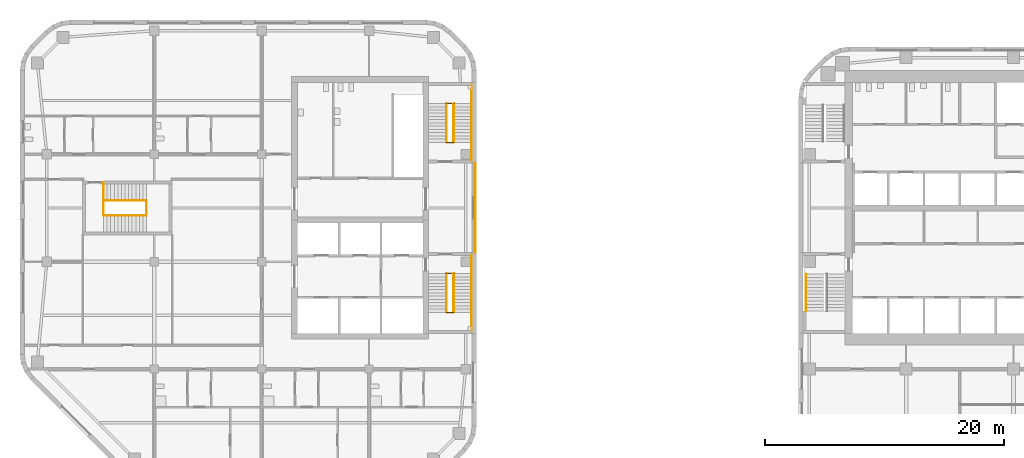
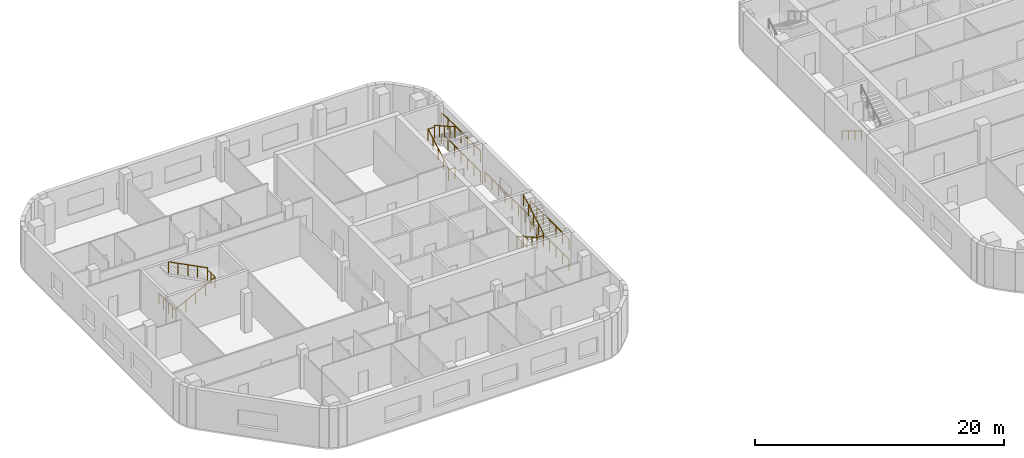
# One storey, part 14 of 16: 19 railings, 1 element without a shape of its own.
"""IFC4 building model written with IfcOpenShell, lengths in metres."""

from ifc_helpers import new_model, si_unit, direction, frame, origin, origin_2d, place, context, subcontext, project, spatial, circle, extrude, material, type_object, element, aggregate, save


model = new_model("IFC4")

# Units and contexts
model_context = context("Model", 3, precision=1e-05, world=origin(), true_north=direction((0.0, 1.0)))
body_context = subcontext(model_context, "Body", "Model", "MODEL_VIEW")
ifc_project = project(units=[si_unit("LENGTHUNIT", "METRE"), si_unit("AREAUNIT", "SQUARE_METRE"), si_unit("VOLUMEUNIT", "CUBIC_METRE"), si_unit("PLANEANGLEUNIT", "RADIAN"), si_unit("MASSUNIT", "GRAM", prefix="KILO")], contexts=[model_context])

# Site, building, storey
site_placement = place(None, origin())
site = spatial("IfcSite", under=ifc_project, at=site_placement, CompositionType="ELEMENT")
building_placement = place(site_placement, origin())
building = spatial("IfcBuilding", under=site, at=building_placement, Name="Cinnabar Reach Civic Tower", CompositionType="ELEMENT")
storey_placement = place(building_placement, frame((0.0, 0.0, 55.0)))
storey = spatial("IfcBuildingStorey", under=building, at=storey_placement, Name="L12", CompositionType="ELEMENT", Elevation=55.0)

# Stair, railing
ifc_material_1 = material(Name="Concrete C40/50", Category="concrete")
stair_type = type_object("IfcStairType", Name="T1 Exit stair, half-turn", PredefinedType="HALF_TURN_STAIR", material=ifc_material_1)
stair_placement = place(storey_placement, origin())
stair = element("IfcStair", 1, at=stair_placement, inside=storey, type_object=stair_type, Name="Stair T1-S1", PredefinedType="HALF_TURN_STAIR")
ifc_material_2 = material(Name="Stainless steel tube", Category="steel")
railing_type_1 = type_object("IfcRailingType", Name="T1 Stair handrail, stainless tube 48", PredefinedType="HANDRAIL", material=ifc_material_2)
railing_1_placement = place(storey_placement, frame((0.6, 25.95, 0.1667)))
railing_1 = element("IfcRailing", 2, at=railing_1_placement, type_object=railing_type_1, Name="T1-S1 handrail 1", PredefinedType="HANDRAIL", context=body_context, shape_type="SweptSolid", body=[
    extrude(circle(Radius=0.024, at=origin_2d()), frame((0.0, 0.0, 0.876), z_axis=(0.0, -0.859296971757, 0.511476992962), x_axis=(1.0, 0.0, 0.0)), (0.0, 0.0, 1.0), 3.5843),
    extrude(circle(Radius=0.021, at=origin_2d()), origin(), (0.0, 0.0, 1.0), 0.852),
    extrude(circle(Radius=0.021, at=origin_2d()), frame((0.0, -1.0267, 0.6111)), (0.0, 0.0, 1.0), 0.852),
    extrude(circle(Radius=0.021, at=origin_2d()), frame((0.0, -2.0533, 1.2222)), (0.0, 0.0, 1.0), 0.852),
    extrude(circle(Radius=0.021, at=origin_2d()), frame((0.0, -3.08, 1.8333)), (0.0, 0.0, 1.0), 0.852),
])
aggregate(stair, [railing_1])

# Railings
ifc_material_3 = material(Name="Stainless steel", Category="steel")
railing_type_2 = type_object("IfcRailingType", Name="T2 Stair guard 1100", PredefinedType="GUARDRAIL", material=ifc_material_3)
railing_2_placement = place(storey_placement, frame((-27.1, 27.75, 0.0)))
element("IfcRailing", 3, at=railing_2_placement, inside=storey, type_object=railing_type_2, Name="Corridor end guard", PredefinedType="GUARDRAIL", context=body_context, shape_type="SweptSolid", body=[
    extrude(circle(Radius=0.024, at=origin_2d()), frame((0.0, 0.0, 1.076), z_axis=(0.0, 1.0, 0.0), x_axis=(-1.0, 0.0, 0.0)), (0.0, 0.0, 1.0), 7.5),
    extrude(circle(Radius=0.021, at=origin_2d()), origin(), (0.0, 0.0, 1.0), 1.052),
    extrude(circle(Radius=0.021, at=origin_2d()), frame((0.0, 1.0714, 0.0)), (0.0, 0.0, 1.0), 1.052),
    extrude(circle(Radius=0.021, at=origin_2d()), frame((0.0, 2.1429, 0.0)), (0.0, 0.0, 1.0), 1.052),
    extrude(circle(Radius=0.021, at=origin_2d()), frame((0.0, 3.2143, 0.0)), (0.0, 0.0, 1.0), 1.052),
    extrude(circle(Radius=0.021, at=origin_2d()), frame((0.0, 4.2857, 0.0)), (0.0, 0.0, 1.0), 1.052),
    extrude(circle(Radius=0.021, at=origin_2d()), frame((0.0, 5.3571, 0.0)), (0.0, 0.0, 1.0), 1.052),
    extrude(circle(Radius=0.021, at=origin_2d()), frame((0.0, 6.4286, 0.0)), (0.0, 0.0, 1.0), 1.052),
    extrude(circle(Radius=0.021, at=origin_2d()), frame((0.0, 7.5, 0.0)), (0.0, 0.0, 1.0), 1.052),
])
for number, where, name in (
    (4, (-27.4, 21.25, 0.0), "Stair guard 1"),
    (5, (-27.4, 21.25, 2.0), "Stair guard 1"),
):
    element("IfcRailing", number, at=place(storey_placement, frame(where)), inside=storey, type_object=railing_type_2, Name=name, PredefinedType="GUARDRAIL", context=body_context, shape_type="SweptSolid", body=[
        extrude(circle(Radius=0.024, at=origin_2d()), frame((0.0, 0.0, 1.076), z_axis=(0.0, 1.0, 0.0), x_axis=(-1.0, 0.0, 0.0)), (0.0, 0.0, 1.0), 6.25),
        extrude(circle(Radius=0.021, at=origin_2d()), origin(), (0.0, 0.0, 1.0), 1.052),
        extrude(circle(Radius=0.021, at=origin_2d()), frame((0.0, 1.0417, 0.0)), (0.0, 0.0, 1.0), 1.052),
        extrude(circle(Radius=0.021, at=origin_2d()), frame((0.0, 2.0833, 0.0)), (0.0, 0.0, 1.0), 1.052),
        extrude(circle(Radius=0.021, at=origin_2d()), frame((0.0, 3.125, 0.0)), (0.0, 0.0, 1.0), 1.052),
        extrude(circle(Radius=0.021, at=origin_2d()), frame((0.0, 4.1667, 0.0)), (0.0, 0.0, 1.0), 1.052),
        extrude(circle(Radius=0.021, at=origin_2d()), frame((0.0, 5.2083, 0.0)), (0.0, 0.0, 1.0), 1.052),
        extrude(circle(Radius=0.021, at=origin_2d()), frame((0.0, 6.25, 0.0)), (0.0, 0.0, 1.0), 1.052),
    ])
for number, where, name in (
    (6, (-29.5, 26.0, 0.0), "Stair guard 1"),
    (7, (-29.5, 22.75, 2.0), "Stair guard 1"),
):
    element("IfcRailing", number, at=place(storey_placement, frame(where)), inside=storey, type_object=railing_type_2, Name=name, PredefinedType="GUARDRAIL", context=body_context, shape_type="SweptSolid", body=[
        extrude(circle(Radius=0.024, at=origin_2d()), frame((0.0, 0.0, 1.076), z_axis=(1.0, 0.0, 0.0), x_axis=(0.0, 1.0, 0.0)), (0.0, 0.0, 1.0), 0.6),
        extrude(circle(Radius=0.021, at=origin_2d()), origin(), (0.0, 0.0, 1.0), 1.052),
        extrude(circle(Radius=0.021, at=origin_2d()), frame((0.6, 0.0, 0.0)), (0.0, 0.0, 1.0), 1.052),
    ])
railing_3_placement = place(storey_placement, frame((-29.5, 26.0, 0.1538)))
element("IfcRailing", 8, at=railing_3_placement, inside=storey, type_object=railing_type_2, Name="Stair guard 1", PredefinedType="GUARDRAIL", context=body_context, shape_type="SweptSolid", body=[
    extrude(circle(Radius=0.024, at=origin_2d()), frame((0.0, 0.0, 1.076), z_axis=(0.0, -0.869501474428, 0.493930345258), x_axis=(1.0, 0.0, 0.0)), (0.0, 0.0, 1.0), 3.7378),
    extrude(circle(Radius=0.021, at=origin_2d()), origin(), (0.0, 0.0, 1.0), 1.052),
    extrude(circle(Radius=0.021, at=origin_2d()), frame((0.0, -0.8125, 0.4616)), (0.0, 0.0, 1.0), 1.052),
    extrude(circle(Radius=0.021, at=origin_2d()), frame((0.0, -1.625, 0.9231)), (0.0, 0.0, 1.0), 1.052),
    extrude(circle(Radius=0.021, at=origin_2d()), frame((0.0, -2.4375, 1.3847)), (0.0, 0.0, 1.0), 1.052),
    extrude(circle(Radius=0.021, at=origin_2d()), frame((0.0, -3.25, 1.8462)), (0.0, 0.0, 1.0), 1.052),
])
railing_4_placement = place(storey_placement, frame((-28.9, 22.75, 2.1538)))
element("IfcRailing", 9, at=railing_4_placement, inside=storey, type_object=railing_type_2, Name="Stair guard 1", PredefinedType="GUARDRAIL", context=body_context, shape_type="SweptSolid", body=[
    extrude(circle(Radius=0.024, at=origin_2d()), frame((0.0, 0.0, 1.076), z_axis=(0.0, 0.869501474428, 0.493930345258), x_axis=(-1.0, 0.0, 0.0)), (0.0, 0.0, 1.0), 3.7378),
    extrude(circle(Radius=0.021, at=origin_2d()), origin(), (0.0, 0.0, 1.0), 1.052),
    extrude(circle(Radius=0.021, at=origin_2d()), frame((0.0, 0.8125, 0.4616)), (0.0, 0.0, 1.0), 1.052),
    extrude(circle(Radius=0.021, at=origin_2d()), frame((0.0, 1.625, 0.9231)), (0.0, 0.0, 1.0), 1.052),
    extrude(circle(Radius=0.021, at=origin_2d()), frame((0.0, 2.4375, 1.3847)), (0.0, 0.0, 1.0), 1.052),
    extrude(circle(Radius=0.021, at=origin_2d()), frame((0.0, 3.25, 1.8462)), (0.0, 0.0, 1.0), 1.052),
])
for number, where, name in (
    (10, (-27.4, 35.5, 0.0), "Stair guard 2"),
    (11, (-27.4, 35.5, 2.0), "Stair guard 2"),
):
    element("IfcRailing", number, at=place(storey_placement, frame(where)), inside=storey, type_object=railing_type_2, Name=name, PredefinedType="GUARDRAIL", context=body_context, shape_type="SweptSolid", body=[
        extrude(circle(Radius=0.024, at=origin_2d()), frame((0.0, 0.0, 1.076), z_axis=(0.0, 1.0, 0.0), x_axis=(-1.0, 0.0, 0.0)), (0.0, 0.0, 1.0), 6.25),
        extrude(circle(Radius=0.021, at=origin_2d()), origin(), (0.0, 0.0, 1.0), 1.052),
        extrude(circle(Radius=0.021, at=origin_2d()), frame((0.0, 1.0417, 0.0)), (0.0, 0.0, 1.0), 1.052),
        extrude(circle(Radius=0.021, at=origin_2d()), frame((0.0, 2.0833, 0.0)), (0.0, 0.0, 1.0), 1.052),
        extrude(circle(Radius=0.021, at=origin_2d()), frame((0.0, 3.125, 0.0)), (0.0, 0.0, 1.0), 1.052),
        extrude(circle(Radius=0.021, at=origin_2d()), frame((0.0, 4.1667, 0.0)), (0.0, 0.0, 1.0), 1.052),
        extrude(circle(Radius=0.021, at=origin_2d()), frame((0.0, 5.2083, 0.0)), (0.0, 0.0, 1.0), 1.052),
        extrude(circle(Radius=0.021, at=origin_2d()), frame((0.0, 6.25, 0.0)), (0.0, 0.0, 1.0), 1.052),
    ])
for number, where, name in (
    (12, (-29.5, 37.0, 0.0), "Stair guard 2"),
    (13, (-29.5, 40.25, 2.0), "Stair guard 2"),
):
    element("IfcRailing", number, at=place(storey_placement, frame(where)), inside=storey, type_object=railing_type_2, Name=name, PredefinedType="GUARDRAIL", context=body_context, shape_type="SweptSolid", body=[
        extrude(circle(Radius=0.024, at=origin_2d()), frame((0.0, 0.0, 1.076), z_axis=(1.0, 0.0, 0.0), x_axis=(0.0, 1.0, 0.0)), (0.0, 0.0, 1.0), 0.6),
        extrude(circle(Radius=0.021, at=origin_2d()), origin(), (0.0, 0.0, 1.0), 1.052),
        extrude(circle(Radius=0.021, at=origin_2d()), frame((0.6, 0.0, 0.0)), (0.0, 0.0, 1.0), 1.052),
    ])
railing_5_placement = place(storey_placement, frame((-29.5, 37.0, 0.1538)))
element("IfcRailing", 14, at=railing_5_placement, inside=storey, type_object=railing_type_2, Name="Stair guard 2", PredefinedType="GUARDRAIL", context=body_context, shape_type="SweptSolid", body=[
    extrude(circle(Radius=0.024, at=origin_2d()), frame((0.0, 0.0, 1.076), z_axis=(0.0, 0.869501474428, 0.493930345258), x_axis=(-1.0, 0.0, 0.0)), (0.0, 0.0, 1.0), 3.7378),
    extrude(circle(Radius=0.021, at=origin_2d()), origin(), (0.0, 0.0, 1.0), 1.052),
    extrude(circle(Radius=0.021, at=origin_2d()), frame((0.0, 0.8125, 0.4616)), (0.0, 0.0, 1.0), 1.052),
    extrude(circle(Radius=0.021, at=origin_2d()), frame((0.0, 1.625, 0.9231)), (0.0, 0.0, 1.0), 1.052),
    extrude(circle(Radius=0.021, at=origin_2d()), frame((0.0, 2.4375, 1.3847)), (0.0, 0.0, 1.0), 1.052),
    extrude(circle(Radius=0.021, at=origin_2d()), frame((0.0, 3.25, 1.8462)), (0.0, 0.0, 1.0), 1.052),
])
railing_6_placement = place(storey_placement, frame((-28.9, 40.25, 2.1538)))
element("IfcRailing", 15, at=railing_6_placement, inside=storey, type_object=railing_type_2, Name="Stair guard 2", PredefinedType="GUARDRAIL", context=body_context, shape_type="SweptSolid", body=[
    extrude(circle(Radius=0.024, at=origin_2d()), frame((0.0, 0.0, 1.076), z_axis=(0.0, -0.869501474428, 0.493930345258), x_axis=(1.0, 0.0, 0.0)), (0.0, 0.0, 1.0), 3.7378),
    extrude(circle(Radius=0.021, at=origin_2d()), origin(), (0.0, 0.0, 1.0), 1.052),
    extrude(circle(Radius=0.021, at=origin_2d()), frame((0.0, -0.8125, 0.4616)), (0.0, 0.0, 1.0), 1.052),
    extrude(circle(Radius=0.021, at=origin_2d()), frame((0.0, -1.625, 0.9231)), (0.0, 0.0, 1.0), 1.052),
    extrude(circle(Radius=0.021, at=origin_2d()), frame((0.0, -2.4375, 1.3847)), (0.0, 0.0, 1.0), 1.052),
    extrude(circle(Radius=0.021, at=origin_2d()), frame((0.0, -3.25, 1.8462)), (0.0, 0.0, 1.0), 1.052),
])
railing_7_placement = place(storey_placement, frame((-58.25, 30.875, 0.0)))
element("IfcRailing", 16, at=railing_7_placement, inside=storey, type_object=railing_type_2, Name="Stair guard 3", PredefinedType="GUARDRAIL", context=body_context, shape_type="SweptSolid", body=[
    extrude(circle(Radius=0.024, at=origin_2d()), frame((0.0, 0.0, 1.076), z_axis=(0.0, 1.0, 0.0), x_axis=(-1.0, 0.0, 0.0)), (0.0, 0.0, 1.0), 1.25),
    extrude(circle(Radius=0.021, at=origin_2d()), origin(), (0.0, 0.0, 1.0), 1.052),
    extrude(circle(Radius=0.021, at=origin_2d()), frame((0.0, 0.625, 0.0)), (0.0, 0.0, 1.0), 1.052),
    extrude(circle(Radius=0.021, at=origin_2d()), frame((0.0, 1.25, 0.0)), (0.0, 0.0, 1.0), 1.052),
])
railing_8_placement = place(storey_placement, frame((-58.25, 32.125, 0.0)))
element("IfcRailing", 17, at=railing_8_placement, inside=storey, type_object=railing_type_2, Name="Stair guard 3", PredefinedType="GUARDRAIL", context=body_context, shape_type="SweptSolid", body=[
    extrude(circle(Radius=0.024, at=origin_2d()), frame((0.0, 0.0, 1.076), z_axis=(0.0, 1.0, 0.0), x_axis=(-1.0, 0.0, 0.0)), (0.0, 0.0, 1.0), 1.5),
    extrude(circle(Radius=0.021, at=origin_2d()), origin(), (0.0, 0.0, 1.0), 1.052),
    extrude(circle(Radius=0.021, at=origin_2d()), frame((0.0, 0.75, 0.0)), (0.0, 0.0, 1.0), 1.052),
    extrude(circle(Radius=0.021, at=origin_2d()), frame((0.0, 1.5, 0.0)), (0.0, 0.0, 1.0), 1.052),
])
railing_9_placement = place(storey_placement, frame((-54.65, 30.875, 2.0)))
element("IfcRailing", 18, at=railing_9_placement, inside=storey, type_object=railing_type_2, Name="Stair guard 3", PredefinedType="GUARDRAIL", context=body_context, shape_type="SweptSolid", body=[
    extrude(circle(Radius=0.024, at=origin_2d()), frame((0.0, 0.0, 1.076), z_axis=(0.0, 1.0, 0.0), x_axis=(-1.0, 0.0, 0.0)), (0.0, 0.0, 1.0), 1.25),
    extrude(circle(Radius=0.021, at=origin_2d()), origin(), (0.0, 0.0, 1.0), 1.052),
    extrude(circle(Radius=0.021, at=origin_2d()), frame((0.0, 0.625, 0.0)), (0.0, 0.0, 1.0), 1.052),
    extrude(circle(Radius=0.021, at=origin_2d()), frame((0.0, 1.25, 0.0)), (0.0, 0.0, 1.0), 1.052),
])
railing_10_placement = place(storey_placement, frame((-58.25, 30.875, 0.1538)))
element("IfcRailing", 19, at=railing_10_placement, inside=storey, type_object=railing_type_2, Name="Stair guard 3", PredefinedType="GUARDRAIL", context=body_context, shape_type="SweptSolid", body=[
    extrude(circle(Radius=0.024, at=origin_2d()), frame((0.0, 0.0, 1.076), z_axis=(0.889812830738, 0.0, 0.45632568003), x_axis=(0.0, 1.0, 0.0)), (0.0, 0.0, 1.0), 4.0458),
    extrude(circle(Radius=0.021, at=origin_2d()), origin(), (0.0, 0.0, 1.0), 1.052),
    extrude(circle(Radius=0.021, at=origin_2d()), frame((0.9, 0.0, 0.4616)), (0.0, 0.0, 1.0), 1.052),
    extrude(circle(Radius=0.021, at=origin_2d()), frame((1.8, 0.0, 0.9231)), (0.0, 0.0, 1.0), 1.052),
    extrude(circle(Radius=0.021, at=origin_2d()), frame((2.7, 0.0, 1.3847)), (0.0, 0.0, 1.0), 1.052),
    extrude(circle(Radius=0.021, at=origin_2d()), frame((3.6, 0.0, 1.8462)), (0.0, 0.0, 1.0), 1.052),
])
railing_11_placement = place(storey_placement, frame((-54.65, 32.125, 2.1538)))
element("IfcRailing", 20, at=railing_11_placement, inside=storey, type_object=railing_type_2, Name="Stair guard 3", PredefinedType="GUARDRAIL", context=body_context, shape_type="SweptSolid", body=[
    extrude(circle(Radius=0.024, at=origin_2d()), frame((0.0, 0.0, 1.076), z_axis=(-0.889812830738, 0.0, 0.45632568003), x_axis=(0.0, -1.0, 0.0)), (0.0, 0.0, 1.0), 4.0458),
    extrude(circle(Radius=0.021, at=origin_2d()), origin(), (0.0, 0.0, 1.0), 1.052),
    extrude(circle(Radius=0.021, at=origin_2d()), frame((-0.9, 0.0, 0.4616)), (0.0, 0.0, 1.0), 1.052),
    extrude(circle(Radius=0.021, at=origin_2d()), frame((-1.8, 0.0, 0.9231)), (0.0, 0.0, 1.0), 1.052),
    extrude(circle(Radius=0.021, at=origin_2d()), frame((-2.7, 0.0, 1.3847)), (0.0, 0.0, 1.0), 1.052),
    extrude(circle(Radius=0.021, at=origin_2d()), frame((-3.6, 0.0, 1.8462)), (0.0, 0.0, 1.0), 1.052),
])

save(model, "model.ifc")
